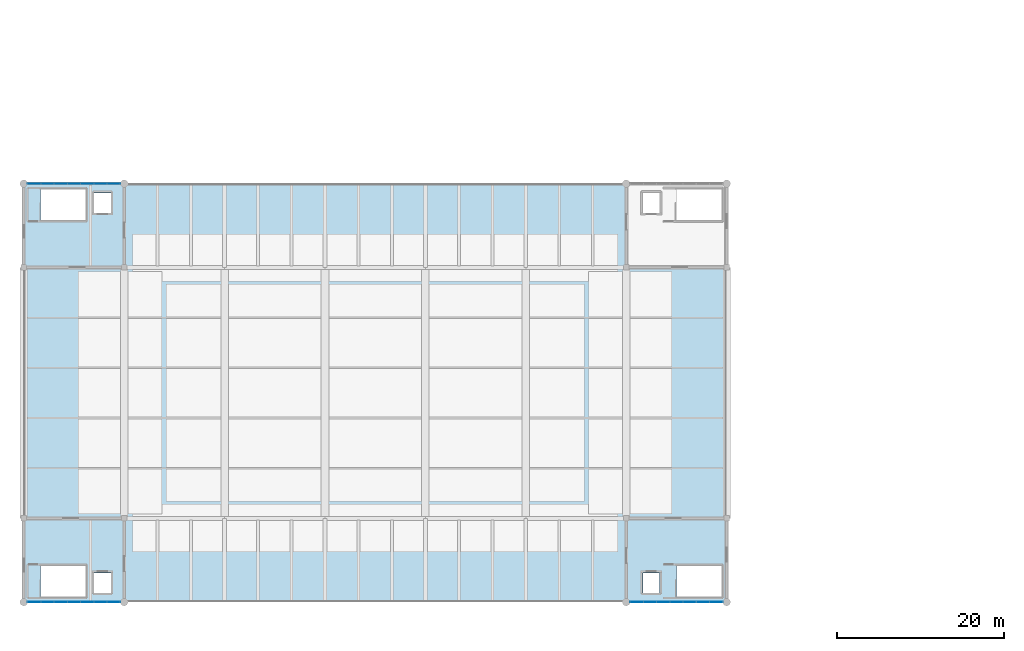
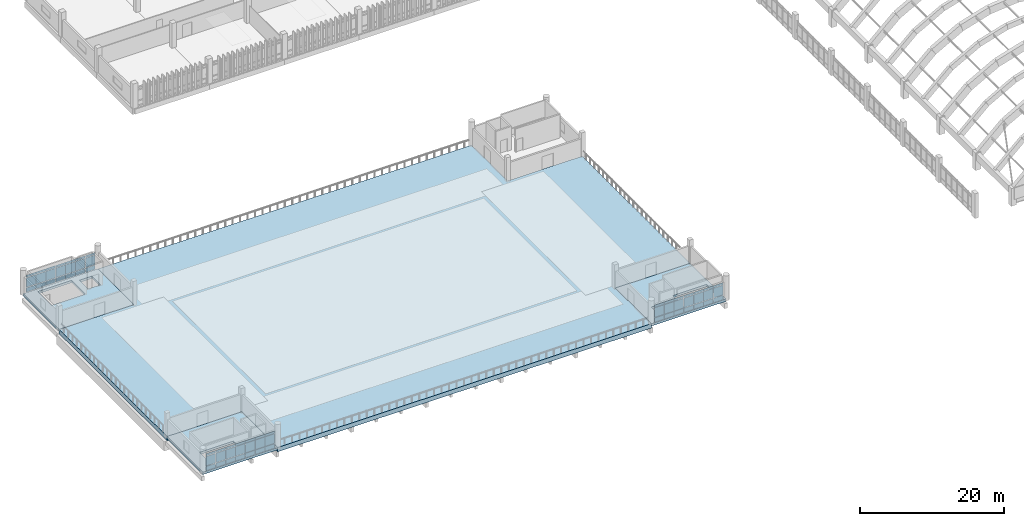
# One storey, part 90 of 111: 63 plates, 4 slabs, 3 elements without a shape of their own.
"""IFC4 building model written with IfcOpenShell, lengths in metres."""

from ifc_helpers import new_model, si_unit, direction, frame, origin, origin_2d, place, context, subcontext, project, spatial, polyline, rectangle, outline, extrude, material, layer, layer_set, type_object, element, aggregate, save


model = new_model("IFC4")

# Units and contexts
model_context = context("Model", 3, precision=1e-05, world=origin(), true_north=direction((0.0, 1.0)))
body_context = subcontext(model_context, "Body", "Model", "MODEL_VIEW")
ifc_project = project(units=[si_unit("LENGTHUNIT", "METRE"), si_unit("AREAUNIT", "SQUARE_METRE"), si_unit("VOLUMEUNIT", "CUBIC_METRE"), si_unit("PLANEANGLEUNIT", "RADIAN"), si_unit("MASSUNIT", "GRAM", prefix="KILO")], contexts=[model_context])

# Site, building, storey
site_placement = place(None, origin())
site = spatial("IfcSite", under=ifc_project, at=site_placement, CompositionType="ELEMENT")
building_placement = place(site_placement, origin())
building = spatial("IfcBuilding", under=site, at=building_placement, Name="Mersad Railyard Sports Hall", CompositionType="ELEMENT")
storey_placement = place(building_placement, frame((0.0, 0.0, 9.0)))
storey = spatial("IfcBuildingStorey", under=building, at=storey_placement, Name="L02", CompositionType="ELEMENT", Elevation=9.0)

# Curtain wall, plates
ifc_material_1 = material(Name="Aluminium 6063-T6", Category="aluminium")
ifc_layer_1 = layer(ifc_material_1, 0.159912109375)
ifc_layer_set_1 = layer_set([ifc_layer_1], Name="Aluminium 6063-T6")
curtain_wall_type = type_object("IfcCurtainWallType", Name="ARC-CW-CW06", PredefinedType="USERDEFINED", material=ifc_layer_set_1)
curtain_wall_1_placement = place(storey_placement, origin())
curtain_wall_1 = element("IfcCurtainWall", 1, at=curtain_wall_1_placement, inside=storey, type_object=curtain_wall_type, Name="Curtain wall CW06-0029", ObjectType="CURTAIN WALL", PredefinedType="USERDEFINED")
ifc_material_2 = material(Name="Solar-control glass", Category="glass")
ifc_layer_2 = layer(ifc_material_2, 0.028076171875)
ifc_layer_set_2 = layer_set([ifc_layer_2], Name="Solar-control glass")
plate_type = type_object("IfcPlateType", Name="ARC-CW-PNL01", PredefinedType="CURTAIN_PANEL", material=ifc_layer_set_2)
plate_1_placement = place(storey_placement, frame((17.739990234375, 3.5, 0.0849609375), z_axis=(0.0, 0.0, 1.0), x_axis=(-1.0, 0.0, 0.0)))
plate_1 = element("IfcPlate", 2, at=plate_1_placement, type_object=plate_type, Name="CW06 Glazed panel 1-1", PredefinedType="CURTAIN_PANEL", context=body_context, shape_type="SweptSolid", body=[
    extrude(rectangle(XDim=1.535888671875, YDim=0.028076171875, at=origin_2d()), origin(), (0.0, 0.0, 1.0), 0.719970703125),
])
plate_2_placement = place(storey_placement, frame((17.739990234375, 3.5, 0.89501953125), z_axis=(0.0, 0.0, 1.0), x_axis=(-1.0, 0.0, 0.0)))
plate_2 = element("IfcPlate", 3, at=plate_2_placement, type_object=plate_type, Name="CW06 Glazed panel 1-2", PredefinedType="CURTAIN_PANEL", context=body_context, shape_type="SweptSolid", body=[
    extrude(rectangle(XDim=1.535888671875, YDim=0.028076171875, at=origin_2d()), origin(), (0.0, 0.0, 1.0), 1.610107421875),
])
plate_3_placement = place(storey_placement, frame((17.739990234375, 3.5, 2.594970703125), z_axis=(0.0, 0.0, 1.0), x_axis=(-1.0, 0.0, 0.0)))
plate_3 = element("IfcPlate", 4, at=plate_3_placement, type_object=plate_type, Name="CW06 Glazed panel 1-3", PredefinedType="CURTAIN_PANEL", context=body_context, shape_type="SweptSolid", body=[
    extrude(rectangle(XDim=1.535888671875, YDim=0.028076171875, at=origin_2d()), origin(), (0.0, 0.0, 1.0), 0.35009765625),
])
plate_4_placement = place(storey_placement, frame((16.159912109375, 3.5, 0.0849609375), z_axis=(0.0, 0.0, 1.0), x_axis=(-1.0, 0.0, 0.0)))
plate_4 = element("IfcPlate", 5, at=plate_4_placement, type_object=plate_type, Name="CW06 Glazed panel 2-1", PredefinedType="CURTAIN_PANEL", context=body_context, shape_type="SweptSolid", body=[
    extrude(rectangle(XDim=1.535888671875, YDim=0.028076171875, at=origin_2d()), origin(), (0.0, 0.0, 1.0), 0.719970703125),
])
plate_5_placement = place(storey_placement, frame((16.159912109375, 3.5, 0.89501953125), z_axis=(0.0, 0.0, 1.0), x_axis=(-1.0, 0.0, 0.0)))
plate_5 = element("IfcPlate", 6, at=plate_5_placement, type_object=plate_type, Name="CW06 Glazed panel 2-2", PredefinedType="CURTAIN_PANEL", context=body_context, shape_type="SweptSolid", body=[
    extrude(rectangle(XDim=1.535888671875, YDim=0.028076171875, at=origin_2d()), origin(), (0.0, 0.0, 1.0), 1.610107421875),
])
plate_6_placement = place(storey_placement, frame((16.159912109375, 3.5, 2.594970703125), z_axis=(0.0, 0.0, 1.0), x_axis=(-1.0, 0.0, 0.0)))
plate_6 = element("IfcPlate", 7, at=plate_6_placement, type_object=plate_type, Name="CW06 Glazed panel 2-3", PredefinedType="CURTAIN_PANEL", context=body_context, shape_type="SweptSolid", body=[
    extrude(rectangle(XDim=1.535888671875, YDim=0.028076171875, at=origin_2d()), origin(), (0.0, 0.0, 1.0), 0.35009765625),
])
plate_7_placement = place(storey_placement, frame((14.580078125, 3.5, 0.0849609375), z_axis=(0.0, 0.0, 1.0), x_axis=(-1.0, 0.0, 0.0)))
plate_7 = element("IfcPlate", 8, at=plate_7_placement, type_object=plate_type, Name="CW06 Glazed panel 3-1", PredefinedType="CURTAIN_PANEL", context=body_context, shape_type="SweptSolid", body=[
    extrude(rectangle(XDim=1.535888671875, YDim=0.028076171875, at=origin_2d()), origin(), (0.0, 0.0, 1.0), 0.719970703125),
])
plate_8_placement = place(storey_placement, frame((14.580078125, 3.5, 0.89501953125), z_axis=(0.0, 0.0, 1.0), x_axis=(-1.0, 0.0, 0.0)))
plate_8 = element("IfcPlate", 9, at=plate_8_placement, type_object=plate_type, Name="CW06 Glazed panel 3-2", PredefinedType="CURTAIN_PANEL", context=body_context, shape_type="SweptSolid", body=[
    extrude(rectangle(XDim=1.535888671875, YDim=0.028076171875, at=origin_2d()), origin(), (0.0, 0.0, 1.0), 1.610107421875),
])
plate_9_placement = place(storey_placement, frame((14.580078125, 3.5, 2.594970703125), z_axis=(0.0, 0.0, 1.0), x_axis=(-1.0, 0.0, 0.0)))
plate_9 = element("IfcPlate", 10, at=plate_9_placement, type_object=plate_type, Name="CW06 Glazed panel 3-3", PredefinedType="CURTAIN_PANEL", context=body_context, shape_type="SweptSolid", body=[
    extrude(rectangle(XDim=1.535888671875, YDim=0.028076171875, at=origin_2d()), origin(), (0.0, 0.0, 1.0), 0.35009765625),
])
plate_10_placement = place(storey_placement, frame((13.0, 3.5, 0.0849609375), z_axis=(0.0, 0.0, 1.0), x_axis=(-1.0, 0.0, 0.0)))
plate_10 = element("IfcPlate", 11, at=plate_10_placement, type_object=plate_type, Name="CW06 Glazed panel 4-1", PredefinedType="CURTAIN_PANEL", context=body_context, shape_type="SweptSolid", body=[
    extrude(rectangle(XDim=1.535888671875, YDim=0.028076171875, at=origin_2d()), origin(), (0.0, 0.0, 1.0), 0.719970703125),
])
plate_11_placement = place(storey_placement, frame((13.0, 3.5, 0.89501953125), z_axis=(0.0, 0.0, 1.0), x_axis=(-1.0, 0.0, 0.0)))
plate_11 = element("IfcPlate", 12, at=plate_11_placement, type_object=plate_type, Name="CW06 Glazed panel 4-2", PredefinedType="CURTAIN_PANEL", context=body_context, shape_type="SweptSolid", body=[
    extrude(rectangle(XDim=1.535888671875, YDim=0.028076171875, at=origin_2d()), origin(), (0.0, 0.0, 1.0), 1.610107421875),
])
plate_12_placement = place(storey_placement, frame((13.0, 3.5, 2.594970703125), z_axis=(0.0, 0.0, 1.0), x_axis=(-1.0, 0.0, 0.0)))
plate_12 = element("IfcPlate", 13, at=plate_12_placement, type_object=plate_type, Name="CW06 Glazed panel 4-3", PredefinedType="CURTAIN_PANEL", context=body_context, shape_type="SweptSolid", body=[
    extrude(rectangle(XDim=1.535888671875, YDim=0.028076171875, at=origin_2d()), origin(), (0.0, 0.0, 1.0), 0.35009765625),
])
plate_13_placement = place(storey_placement, frame((11.419921875, 3.5, 0.0849609375), z_axis=(0.0, 0.0, 1.0), x_axis=(-1.0, 0.0, 0.0)))
plate_13 = element("IfcPlate", 14, at=plate_13_placement, type_object=plate_type, Name="CW06 Glazed panel 5-1", PredefinedType="CURTAIN_PANEL", context=body_context, shape_type="SweptSolid", body=[
    extrude(rectangle(XDim=1.535888671875, YDim=0.028076171875, at=origin_2d()), origin(), (0.0, 0.0, 1.0), 0.719970703125),
])
plate_14_placement = place(storey_placement, frame((11.419921875, 3.5, 0.89501953125), z_axis=(0.0, 0.0, 1.0), x_axis=(-1.0, 0.0, 0.0)))
plate_14 = element("IfcPlate", 15, at=plate_14_placement, type_object=plate_type, Name="CW06 Glazed panel 5-2", PredefinedType="CURTAIN_PANEL", context=body_context, shape_type="SweptSolid", body=[
    extrude(rectangle(XDim=1.535888671875, YDim=0.028076171875, at=origin_2d()), origin(), (0.0, 0.0, 1.0), 1.610107421875),
])
plate_15_placement = place(storey_placement, frame((11.419921875, 3.5, 2.594970703125), z_axis=(0.0, 0.0, 1.0), x_axis=(-1.0, 0.0, 0.0)))
plate_15 = element("IfcPlate", 16, at=plate_15_placement, type_object=plate_type, Name="CW06 Glazed panel 5-3", PredefinedType="CURTAIN_PANEL", context=body_context, shape_type="SweptSolid", body=[
    extrude(rectangle(XDim=1.535888671875, YDim=0.028076171875, at=origin_2d()), origin(), (0.0, 0.0, 1.0), 0.35009765625),
])
plate_16_placement = place(storey_placement, frame((9.840087890625, 3.5, 0.0849609375), z_axis=(0.0, 0.0, 1.0), x_axis=(-1.0, 0.0, 0.0)))
plate_16 = element("IfcPlate", 17, at=plate_16_placement, type_object=plate_type, Name="CW06 Glazed panel 6-1", PredefinedType="CURTAIN_PANEL", context=body_context, shape_type="SweptSolid", body=[
    extrude(rectangle(XDim=1.535888671875, YDim=0.028076171875, at=origin_2d()), origin(), (0.0, 0.0, 1.0), 0.719970703125),
])
plate_17_placement = place(storey_placement, frame((9.840087890625, 3.5, 0.89501953125), z_axis=(0.0, 0.0, 1.0), x_axis=(-1.0, 0.0, 0.0)))
plate_17 = element("IfcPlate", 18, at=plate_17_placement, type_object=plate_type, Name="CW06 Glazed panel 6-2", PredefinedType="CURTAIN_PANEL", context=body_context, shape_type="SweptSolid", body=[
    extrude(rectangle(XDim=1.535888671875, YDim=0.028076171875, at=origin_2d()), origin(), (0.0, 0.0, 1.0), 1.610107421875),
])
plate_18_placement = place(storey_placement, frame((9.840087890625, 3.5, 2.594970703125), z_axis=(0.0, 0.0, 1.0), x_axis=(-1.0, 0.0, 0.0)))
plate_18 = element("IfcPlate", 19, at=plate_18_placement, type_object=plate_type, Name="CW06 Glazed panel 6-3", PredefinedType="CURTAIN_PANEL", context=body_context, shape_type="SweptSolid", body=[
    extrude(rectangle(XDim=1.535888671875, YDim=0.028076171875, at=origin_2d()), origin(), (0.0, 0.0, 1.0), 0.35009765625),
])
plate_19_placement = place(storey_placement, frame((8.260009765625, 3.5, 0.0849609375), z_axis=(0.0, 0.0, 1.0), x_axis=(-1.0, 0.0, 0.0)))
plate_19 = element("IfcPlate", 20, at=plate_19_placement, type_object=plate_type, Name="CW06 Glazed panel 7-1", PredefinedType="CURTAIN_PANEL", context=body_context, shape_type="SweptSolid", body=[
    extrude(rectangle(XDim=1.535888671875, YDim=0.028076171875, at=origin_2d()), origin(), (0.0, 0.0, 1.0), 0.719970703125),
])
plate_20_placement = place(storey_placement, frame((8.260009765625, 3.5, 0.89501953125), z_axis=(0.0, 0.0, 1.0), x_axis=(-1.0, 0.0, 0.0)))
plate_20 = element("IfcPlate", 21, at=plate_20_placement, type_object=plate_type, Name="CW06 Glazed panel 7-2", PredefinedType="CURTAIN_PANEL", context=body_context, shape_type="SweptSolid", body=[
    extrude(rectangle(XDim=1.535888671875, YDim=0.028076171875, at=origin_2d()), origin(), (0.0, 0.0, 1.0), 1.610107421875),
])
plate_21_placement = place(storey_placement, frame((8.260009765625, 3.5, 2.594970703125), z_axis=(0.0, 0.0, 1.0), x_axis=(-1.0, 0.0, 0.0)))
plate_21 = element("IfcPlate", 22, at=plate_21_placement, type_object=plate_type, Name="CW06 Glazed panel 7-3", PredefinedType="CURTAIN_PANEL", context=body_context, shape_type="SweptSolid", body=[
    extrude(rectangle(XDim=1.535888671875, YDim=0.028076171875, at=origin_2d()), origin(), (0.0, 0.0, 1.0), 0.35009765625),
])
aggregate(curtain_wall_1, [plate_1, plate_2, plate_3, plate_4, plate_5, plate_6, plate_7, plate_8, plate_9, plate_10, plate_11, plate_12, plate_13, plate_14, plate_15, plate_16, plate_17, plate_18, plate_19, plate_20, plate_21])

curtain_wall_2_placement = place(storey_placement, origin())
curtain_wall_2 = element("IfcCurtainWall", 23, at=curtain_wall_2_placement, inside=storey, type_object=curtain_wall_type, Name="Curtain wall CW06-0030", ObjectType="CURTAIN WALL", PredefinedType="USERDEFINED")
plate_22_placement = place(storey_placement, frame((89.739990234375, 3.5, 0.0849609375), z_axis=(0.0, 0.0, 1.0), x_axis=(-1.0, 0.0, 0.0)))
plate_22 = element("IfcPlate", 24, at=plate_22_placement, type_object=plate_type, Name="CW06 Glazed panel 1-1", PredefinedType="CURTAIN_PANEL", context=body_context, shape_type="SweptSolid", body=[
    extrude(rectangle(XDim=1.535888671875, YDim=0.028076171875, at=origin_2d()), origin(), (0.0, 0.0, 1.0), 0.719970703125),
])
plate_23_placement = place(storey_placement, frame((89.739990234375, 3.5, 0.89501953125), z_axis=(0.0, 0.0, 1.0), x_axis=(-1.0, 0.0, 0.0)))
plate_23 = element("IfcPlate", 25, at=plate_23_placement, type_object=plate_type, Name="CW06 Glazed panel 1-2", PredefinedType="CURTAIN_PANEL", context=body_context, shape_type="SweptSolid", body=[
    extrude(rectangle(XDim=1.535888671875, YDim=0.028076171875, at=origin_2d()), origin(), (0.0, 0.0, 1.0), 1.610107421875),
])
plate_24_placement = place(storey_placement, frame((89.739990234375, 3.5, 2.594970703125), z_axis=(0.0, 0.0, 1.0), x_axis=(-1.0, 0.0, 0.0)))
plate_24 = element("IfcPlate", 26, at=plate_24_placement, type_object=plate_type, Name="CW06 Glazed panel 1-3", PredefinedType="CURTAIN_PANEL", context=body_context, shape_type="SweptSolid", body=[
    extrude(rectangle(XDim=1.535888671875, YDim=0.028076171875, at=origin_2d()), origin(), (0.0, 0.0, 1.0), 0.35009765625),
])
plate_25_placement = place(storey_placement, frame((88.159912109375, 3.5, 0.0849609375), z_axis=(0.0, 0.0, 1.0), x_axis=(-1.0, 0.0, 0.0)))
plate_25 = element("IfcPlate", 27, at=plate_25_placement, type_object=plate_type, Name="CW06 Glazed panel 2-1", PredefinedType="CURTAIN_PANEL", context=body_context, shape_type="SweptSolid", body=[
    extrude(rectangle(XDim=1.535888671875, YDim=0.028076171875, at=origin_2d()), origin(), (0.0, 0.0, 1.0), 0.719970703125),
])
plate_26_placement = place(storey_placement, frame((88.159912109375, 3.5, 0.89501953125), z_axis=(0.0, 0.0, 1.0), x_axis=(-1.0, 0.0, 0.0)))
plate_26 = element("IfcPlate", 28, at=plate_26_placement, type_object=plate_type, Name="CW06 Glazed panel 2-2", PredefinedType="CURTAIN_PANEL", context=body_context, shape_type="SweptSolid", body=[
    extrude(rectangle(XDim=1.535888671875, YDim=0.028076171875, at=origin_2d()), origin(), (0.0, 0.0, 1.0), 1.610107421875),
])
plate_27_placement = place(storey_placement, frame((88.159912109375, 3.5, 2.594970703125), z_axis=(0.0, 0.0, 1.0), x_axis=(-1.0, 0.0, 0.0)))
plate_27 = element("IfcPlate", 29, at=plate_27_placement, type_object=plate_type, Name="CW06 Glazed panel 2-3", PredefinedType="CURTAIN_PANEL", context=body_context, shape_type="SweptSolid", body=[
    extrude(rectangle(XDim=1.535888671875, YDim=0.028076171875, at=origin_2d()), origin(), (0.0, 0.0, 1.0), 0.35009765625),
])
plate_28_placement = place(storey_placement, frame((86.580078125, 3.5, 0.0849609375), z_axis=(0.0, 0.0, 1.0), x_axis=(-1.0, 0.0, 0.0)))
plate_28 = element("IfcPlate", 30, at=plate_28_placement, type_object=plate_type, Name="CW06 Glazed panel 3-1", PredefinedType="CURTAIN_PANEL", context=body_context, shape_type="SweptSolid", body=[
    extrude(rectangle(XDim=1.535888671875, YDim=0.028076171875, at=origin_2d()), origin(), (0.0, 0.0, 1.0), 0.719970703125),
])
plate_29_placement = place(storey_placement, frame((86.580078125, 3.5, 0.89501953125), z_axis=(0.0, 0.0, 1.0), x_axis=(-1.0, 0.0, 0.0)))
plate_29 = element("IfcPlate", 31, at=plate_29_placement, type_object=plate_type, Name="CW06 Glazed panel 3-2", PredefinedType="CURTAIN_PANEL", context=body_context, shape_type="SweptSolid", body=[
    extrude(rectangle(XDim=1.535888671875, YDim=0.028076171875, at=origin_2d()), origin(), (0.0, 0.0, 1.0), 1.610107421875),
])
plate_30_placement = place(storey_placement, frame((86.580078125, 3.5, 2.594970703125), z_axis=(0.0, 0.0, 1.0), x_axis=(-1.0, 0.0, 0.0)))
plate_30 = element("IfcPlate", 32, at=plate_30_placement, type_object=plate_type, Name="CW06 Glazed panel 3-3", PredefinedType="CURTAIN_PANEL", context=body_context, shape_type="SweptSolid", body=[
    extrude(rectangle(XDim=1.535888671875, YDim=0.028076171875, at=origin_2d()), origin(), (0.0, 0.0, 1.0), 0.35009765625),
])
plate_31_placement = place(storey_placement, frame((85.0, 3.5, 0.0849609375), z_axis=(0.0, 0.0, 1.0), x_axis=(-1.0, 0.0, 0.0)))
plate_31 = element("IfcPlate", 33, at=plate_31_placement, type_object=plate_type, Name="CW06 Glazed panel 4-1", PredefinedType="CURTAIN_PANEL", context=body_context, shape_type="SweptSolid", body=[
    extrude(rectangle(XDim=1.535888671875, YDim=0.028076171875, at=origin_2d()), origin(), (0.0, 0.0, 1.0), 0.719970703125),
])
plate_32_placement = place(storey_placement, frame((85.0, 3.5, 0.89501953125), z_axis=(0.0, 0.0, 1.0), x_axis=(-1.0, 0.0, 0.0)))
plate_32 = element("IfcPlate", 34, at=plate_32_placement, type_object=plate_type, Name="CW06 Glazed panel 4-2", PredefinedType="CURTAIN_PANEL", context=body_context, shape_type="SweptSolid", body=[
    extrude(rectangle(XDim=1.535888671875, YDim=0.028076171875, at=origin_2d()), origin(), (0.0, 0.0, 1.0), 1.610107421875),
])
plate_33_placement = place(storey_placement, frame((85.0, 3.5, 2.594970703125), z_axis=(0.0, 0.0, 1.0), x_axis=(-1.0, 0.0, 0.0)))
plate_33 = element("IfcPlate", 35, at=plate_33_placement, type_object=plate_type, Name="CW06 Glazed panel 4-3", PredefinedType="CURTAIN_PANEL", context=body_context, shape_type="SweptSolid", body=[
    extrude(rectangle(XDim=1.535888671875, YDim=0.028076171875, at=origin_2d()), origin(), (0.0, 0.0, 1.0), 0.35009765625),
])
plate_34_placement = place(storey_placement, frame((83.419921875, 3.5, 0.0849609375), z_axis=(0.0, 0.0, 1.0), x_axis=(-1.0, 0.0, 0.0)))
plate_34 = element("IfcPlate", 36, at=plate_34_placement, type_object=plate_type, Name="CW06 Glazed panel 5-1", PredefinedType="CURTAIN_PANEL", context=body_context, shape_type="SweptSolid", body=[
    extrude(rectangle(XDim=1.535888671875, YDim=0.028076171875, at=origin_2d()), origin(), (0.0, 0.0, 1.0), 0.719970703125),
])
plate_35_placement = place(storey_placement, frame((83.419921875, 3.5, 0.89501953125), z_axis=(0.0, 0.0, 1.0), x_axis=(-1.0, 0.0, 0.0)))
plate_35 = element("IfcPlate", 37, at=plate_35_placement, type_object=plate_type, Name="CW06 Glazed panel 5-2", PredefinedType="CURTAIN_PANEL", context=body_context, shape_type="SweptSolid", body=[
    extrude(rectangle(XDim=1.535888671875, YDim=0.028076171875, at=origin_2d()), origin(), (0.0, 0.0, 1.0), 1.610107421875),
])
plate_36_placement = place(storey_placement, frame((83.419921875, 3.5, 2.594970703125), z_axis=(0.0, 0.0, 1.0), x_axis=(-1.0, 0.0, 0.0)))
plate_36 = element("IfcPlate", 38, at=plate_36_placement, type_object=plate_type, Name="CW06 Glazed panel 5-3", PredefinedType="CURTAIN_PANEL", context=body_context, shape_type="SweptSolid", body=[
    extrude(rectangle(XDim=1.535888671875, YDim=0.028076171875, at=origin_2d()), origin(), (0.0, 0.0, 1.0), 0.35009765625),
])
plate_37_placement = place(storey_placement, frame((81.840087890625, 3.5, 0.0849609375), z_axis=(0.0, 0.0, 1.0), x_axis=(-1.0, 0.0, 0.0)))
plate_37 = element("IfcPlate", 39, at=plate_37_placement, type_object=plate_type, Name="CW06 Glazed panel 6-1", PredefinedType="CURTAIN_PANEL", context=body_context, shape_type="SweptSolid", body=[
    extrude(rectangle(XDim=1.535888671875, YDim=0.028076171875, at=origin_2d()), origin(), (0.0, 0.0, 1.0), 0.719970703125),
])
plate_38_placement = place(storey_placement, frame((81.840087890625, 3.5, 0.89501953125), z_axis=(0.0, 0.0, 1.0), x_axis=(-1.0, 0.0, 0.0)))
plate_38 = element("IfcPlate", 40, at=plate_38_placement, type_object=plate_type, Name="CW06 Glazed panel 6-2", PredefinedType="CURTAIN_PANEL", context=body_context, shape_type="SweptSolid", body=[
    extrude(rectangle(XDim=1.535888671875, YDim=0.028076171875, at=origin_2d()), origin(), (0.0, 0.0, 1.0), 1.610107421875),
])
plate_39_placement = place(storey_placement, frame((81.840087890625, 3.5, 2.594970703125), z_axis=(0.0, 0.0, 1.0), x_axis=(-1.0, 0.0, 0.0)))
plate_39 = element("IfcPlate", 41, at=plate_39_placement, type_object=plate_type, Name="CW06 Glazed panel 6-3", PredefinedType="CURTAIN_PANEL", context=body_context, shape_type="SweptSolid", body=[
    extrude(rectangle(XDim=1.535888671875, YDim=0.028076171875, at=origin_2d()), origin(), (0.0, 0.0, 1.0), 0.35009765625),
])
plate_40_placement = place(storey_placement, frame((80.260009765625, 3.5, 0.0849609375), z_axis=(0.0, 0.0, 1.0), x_axis=(-1.0, 0.0, 0.0)))
plate_40 = element("IfcPlate", 42, at=plate_40_placement, type_object=plate_type, Name="CW06 Glazed panel 7-1", PredefinedType="CURTAIN_PANEL", context=body_context, shape_type="SweptSolid", body=[
    extrude(rectangle(XDim=1.535888671875, YDim=0.028076171875, at=origin_2d()), origin(), (0.0, 0.0, 1.0), 0.719970703125),
])
plate_41_placement = place(storey_placement, frame((80.260009765625, 3.5, 0.89501953125), z_axis=(0.0, 0.0, 1.0), x_axis=(-1.0, 0.0, 0.0)))
plate_41 = element("IfcPlate", 43, at=plate_41_placement, type_object=plate_type, Name="CW06 Glazed panel 7-2", PredefinedType="CURTAIN_PANEL", context=body_context, shape_type="SweptSolid", body=[
    extrude(rectangle(XDim=1.535888671875, YDim=0.028076171875, at=origin_2d()), origin(), (0.0, 0.0, 1.0), 1.610107421875),
])
plate_42_placement = place(storey_placement, frame((80.260009765625, 3.5, 2.594970703125), z_axis=(0.0, 0.0, 1.0), x_axis=(-1.0, 0.0, 0.0)))
plate_42 = element("IfcPlate", 44, at=plate_42_placement, type_object=plate_type, Name="CW06 Glazed panel 7-3", PredefinedType="CURTAIN_PANEL", context=body_context, shape_type="SweptSolid", body=[
    extrude(rectangle(XDim=1.535888671875, YDim=0.028076171875, at=origin_2d()), origin(), (0.0, 0.0, 1.0), 0.35009765625),
])
aggregate(curtain_wall_2, [plate_22, plate_23, plate_24, plate_25, plate_26, plate_27, plate_28, plate_29, plate_30, plate_31, plate_32, plate_33, plate_34, plate_35, plate_36, plate_37, plate_38, plate_39, plate_40, plate_41, plate_42])

curtain_wall_3_placement = place(storey_placement, origin())
curtain_wall_3 = element("IfcCurtainWall", 45, at=curtain_wall_3_placement, inside=storey, type_object=curtain_wall_type, Name="Curtain wall CW06-0031", ObjectType="CURTAIN WALL", PredefinedType="USERDEFINED")
plate_43_placement = place(storey_placement, frame((8.260009765625, 53.5, 0.0849609375), z_axis=(0.0, 0.0, 1.0), x_axis=(1.0, 0.0, 0.0)))
plate_43 = element("IfcPlate", 46, at=plate_43_placement, type_object=plate_type, Name="CW06 Glazed panel 1-1", PredefinedType="CURTAIN_PANEL", context=body_context, shape_type="SweptSolid", body=[
    extrude(rectangle(XDim=1.535888671875, YDim=0.028076171875, at=origin_2d()), origin(), (0.0, 0.0, 1.0), 0.719970703125),
])
plate_44_placement = place(storey_placement, frame((8.260009765625, 53.5, 0.89501953125), z_axis=(0.0, 0.0, 1.0), x_axis=(1.0, 0.0, 0.0)))
plate_44 = element("IfcPlate", 47, at=plate_44_placement, type_object=plate_type, Name="CW06 Glazed panel 1-2", PredefinedType="CURTAIN_PANEL", context=body_context, shape_type="SweptSolid", body=[
    extrude(rectangle(XDim=1.535888671875, YDim=0.028076171875, at=origin_2d()), origin(), (0.0, 0.0, 1.0), 1.610107421875),
])
plate_45_placement = place(storey_placement, frame((8.260009765625, 53.5, 2.594970703125), z_axis=(0.0, 0.0, 1.0), x_axis=(1.0, 0.0, 0.0)))
plate_45 = element("IfcPlate", 48, at=plate_45_placement, type_object=plate_type, Name="CW06 Glazed panel 1-3", PredefinedType="CURTAIN_PANEL", context=body_context, shape_type="SweptSolid", body=[
    extrude(rectangle(XDim=1.535888671875, YDim=0.028076171875, at=origin_2d()), origin(), (0.0, 0.0, 1.0), 0.35009765625),
])
plate_46_placement = place(storey_placement, frame((9.840087890625, 53.5, 0.0849609375), z_axis=(0.0, 0.0, 1.0), x_axis=(1.0, 0.0, 0.0)))
plate_46 = element("IfcPlate", 49, at=plate_46_placement, type_object=plate_type, Name="CW06 Glazed panel 2-1", PredefinedType="CURTAIN_PANEL", context=body_context, shape_type="SweptSolid", body=[
    extrude(rectangle(XDim=1.535888671875, YDim=0.028076171875, at=origin_2d()), origin(), (0.0, 0.0, 1.0), 0.719970703125),
])
plate_47_placement = place(storey_placement, frame((9.840087890625, 53.5, 0.89501953125), z_axis=(0.0, 0.0, 1.0), x_axis=(1.0, 0.0, 0.0)))
plate_47 = element("IfcPlate", 50, at=plate_47_placement, type_object=plate_type, Name="CW06 Glazed panel 2-2", PredefinedType="CURTAIN_PANEL", context=body_context, shape_type="SweptSolid", body=[
    extrude(rectangle(XDim=1.535888671875, YDim=0.028076171875, at=origin_2d()), origin(), (0.0, 0.0, 1.0), 1.610107421875),
])
plate_48_placement = place(storey_placement, frame((9.840087890625, 53.5, 2.594970703125), z_axis=(0.0, 0.0, 1.0), x_axis=(1.0, 0.0, 0.0)))
plate_48 = element("IfcPlate", 51, at=plate_48_placement, type_object=plate_type, Name="CW06 Glazed panel 2-3", PredefinedType="CURTAIN_PANEL", context=body_context, shape_type="SweptSolid", body=[
    extrude(rectangle(XDim=1.535888671875, YDim=0.028076171875, at=origin_2d()), origin(), (0.0, 0.0, 1.0), 0.35009765625),
])
plate_49_placement = place(storey_placement, frame((11.419921875, 53.5, 0.0849609375), z_axis=(0.0, 0.0, 1.0), x_axis=(1.0, 0.0, 0.0)))
plate_49 = element("IfcPlate", 52, at=plate_49_placement, type_object=plate_type, Name="CW06 Glazed panel 3-1", PredefinedType="CURTAIN_PANEL", context=body_context, shape_type="SweptSolid", body=[
    extrude(rectangle(XDim=1.535888671875, YDim=0.028076171875, at=origin_2d()), origin(), (0.0, 0.0, 1.0), 0.719970703125),
])
plate_50_placement = place(storey_placement, frame((11.419921875, 53.5, 0.89501953125), z_axis=(0.0, 0.0, 1.0), x_axis=(1.0, 0.0, 0.0)))
plate_50 = element("IfcPlate", 53, at=plate_50_placement, type_object=plate_type, Name="CW06 Glazed panel 3-2", PredefinedType="CURTAIN_PANEL", context=body_context, shape_type="SweptSolid", body=[
    extrude(rectangle(XDim=1.535888671875, YDim=0.028076171875, at=origin_2d()), origin(), (0.0, 0.0, 1.0), 1.610107421875),
])
plate_51_placement = place(storey_placement, frame((11.419921875, 53.5, 2.594970703125), z_axis=(0.0, 0.0, 1.0), x_axis=(1.0, 0.0, 0.0)))
plate_51 = element("IfcPlate", 54, at=plate_51_placement, type_object=plate_type, Name="CW06 Glazed panel 3-3", PredefinedType="CURTAIN_PANEL", context=body_context, shape_type="SweptSolid", body=[
    extrude(rectangle(XDim=1.535888671875, YDim=0.028076171875, at=origin_2d()), origin(), (0.0, 0.0, 1.0), 0.35009765625),
])
plate_52_placement = place(storey_placement, frame((13.0, 53.5, 0.0849609375), z_axis=(0.0, 0.0, 1.0), x_axis=(1.0, 0.0, 0.0)))
plate_52 = element("IfcPlate", 55, at=plate_52_placement, type_object=plate_type, Name="CW06 Glazed panel 4-1", PredefinedType="CURTAIN_PANEL", context=body_context, shape_type="SweptSolid", body=[
    extrude(rectangle(XDim=1.535888671875, YDim=0.028076171875, at=origin_2d()), origin(), (0.0, 0.0, 1.0), 0.719970703125),
])
plate_53_placement = place(storey_placement, frame((13.0, 53.5, 0.89501953125), z_axis=(0.0, 0.0, 1.0), x_axis=(1.0, 0.0, 0.0)))
plate_53 = element("IfcPlate", 56, at=plate_53_placement, type_object=plate_type, Name="CW06 Glazed panel 4-2", PredefinedType="CURTAIN_PANEL", context=body_context, shape_type="SweptSolid", body=[
    extrude(rectangle(XDim=1.535888671875, YDim=0.028076171875, at=origin_2d()), origin(), (0.0, 0.0, 1.0), 1.610107421875),
])
plate_54_placement = place(storey_placement, frame((13.0, 53.5, 2.594970703125), z_axis=(0.0, 0.0, 1.0), x_axis=(1.0, 0.0, 0.0)))
plate_54 = element("IfcPlate", 57, at=plate_54_placement, type_object=plate_type, Name="CW06 Glazed panel 4-3", PredefinedType="CURTAIN_PANEL", context=body_context, shape_type="SweptSolid", body=[
    extrude(rectangle(XDim=1.535888671875, YDim=0.028076171875, at=origin_2d()), origin(), (0.0, 0.0, 1.0), 0.35009765625),
])
plate_55_placement = place(storey_placement, frame((14.580078125, 53.5, 0.0849609375), z_axis=(0.0, 0.0, 1.0), x_axis=(1.0, 0.0, 0.0)))
plate_55 = element("IfcPlate", 58, at=plate_55_placement, type_object=plate_type, Name="CW06 Glazed panel 5-1", PredefinedType="CURTAIN_PANEL", context=body_context, shape_type="SweptSolid", body=[
    extrude(rectangle(XDim=1.535888671875, YDim=0.028076171875, at=origin_2d()), origin(), (0.0, 0.0, 1.0), 0.719970703125),
])
plate_56_placement = place(storey_placement, frame((14.580078125, 53.5, 0.89501953125), z_axis=(0.0, 0.0, 1.0), x_axis=(1.0, 0.0, 0.0)))
plate_56 = element("IfcPlate", 59, at=plate_56_placement, type_object=plate_type, Name="CW06 Glazed panel 5-2", PredefinedType="CURTAIN_PANEL", context=body_context, shape_type="SweptSolid", body=[
    extrude(rectangle(XDim=1.535888671875, YDim=0.028076171875, at=origin_2d()), origin(), (0.0, 0.0, 1.0), 1.610107421875),
])
plate_57_placement = place(storey_placement, frame((14.580078125, 53.5, 2.594970703125), z_axis=(0.0, 0.0, 1.0), x_axis=(1.0, 0.0, 0.0)))
plate_57 = element("IfcPlate", 60, at=plate_57_placement, type_object=plate_type, Name="CW06 Glazed panel 5-3", PredefinedType="CURTAIN_PANEL", context=body_context, shape_type="SweptSolid", body=[
    extrude(rectangle(XDim=1.535888671875, YDim=0.028076171875, at=origin_2d()), origin(), (0.0, 0.0, 1.0), 0.35009765625),
])
plate_58_placement = place(storey_placement, frame((16.159912109375, 53.5, 0.0849609375), z_axis=(0.0, 0.0, 1.0), x_axis=(1.0, 0.0, 0.0)))
plate_58 = element("IfcPlate", 61, at=plate_58_placement, type_object=plate_type, Name="CW06 Glazed panel 6-1", PredefinedType="CURTAIN_PANEL", context=body_context, shape_type="SweptSolid", body=[
    extrude(rectangle(XDim=1.535888671875, YDim=0.028076171875, at=origin_2d()), origin(), (0.0, 0.0, 1.0), 0.719970703125),
])
plate_59_placement = place(storey_placement, frame((16.159912109375, 53.5, 0.89501953125), z_axis=(0.0, 0.0, 1.0), x_axis=(1.0, 0.0, 0.0)))
plate_59 = element("IfcPlate", 62, at=plate_59_placement, type_object=plate_type, Name="CW06 Glazed panel 6-2", PredefinedType="CURTAIN_PANEL", context=body_context, shape_type="SweptSolid", body=[
    extrude(rectangle(XDim=1.535888671875, YDim=0.028076171875, at=origin_2d()), origin(), (0.0, 0.0, 1.0), 1.610107421875),
])
plate_60_placement = place(storey_placement, frame((16.159912109375, 53.5, 2.594970703125), z_axis=(0.0, 0.0, 1.0), x_axis=(1.0, 0.0, 0.0)))
plate_60 = element("IfcPlate", 63, at=plate_60_placement, type_object=plate_type, Name="CW06 Glazed panel 6-3", PredefinedType="CURTAIN_PANEL", context=body_context, shape_type="SweptSolid", body=[
    extrude(rectangle(XDim=1.535888671875, YDim=0.028076171875, at=origin_2d()), origin(), (0.0, 0.0, 1.0), 0.35009765625),
])
plate_61_placement = place(storey_placement, frame((17.739990234375, 53.5, 0.0849609375), z_axis=(0.0, 0.0, 1.0), x_axis=(1.0, 0.0, 0.0)))
plate_61 = element("IfcPlate", 64, at=plate_61_placement, type_object=plate_type, Name="CW06 Glazed panel 7-1", PredefinedType="CURTAIN_PANEL", context=body_context, shape_type="SweptSolid", body=[
    extrude(rectangle(XDim=1.535888671875, YDim=0.028076171875, at=origin_2d()), origin(), (0.0, 0.0, 1.0), 0.719970703125),
])
plate_62_placement = place(storey_placement, frame((17.739990234375, 53.5, 0.89501953125), z_axis=(0.0, 0.0, 1.0), x_axis=(1.0, 0.0, 0.0)))
plate_62 = element("IfcPlate", 65, at=plate_62_placement, type_object=plate_type, Name="CW06 Glazed panel 7-2", PredefinedType="CURTAIN_PANEL", context=body_context, shape_type="SweptSolid", body=[
    extrude(rectangle(XDim=1.535888671875, YDim=0.028076171875, at=origin_2d()), origin(), (0.0, 0.0, 1.0), 1.610107421875),
])
plate_63_placement = place(storey_placement, frame((17.739990234375, 53.5, 2.594970703125), z_axis=(0.0, 0.0, 1.0), x_axis=(1.0, 0.0, 0.0)))
plate_63 = element("IfcPlate", 66, at=plate_63_placement, type_object=plate_type, Name="CW06 Glazed panel 7-3", PredefinedType="CURTAIN_PANEL", context=body_context, shape_type="SweptSolid", body=[
    extrude(rectangle(XDim=1.535888671875, YDim=0.028076171875, at=origin_2d()), origin(), (0.0, 0.0, 1.0), 0.35009765625),
])
aggregate(curtain_wall_3, [plate_43, plate_44, plate_45, plate_46, plate_47, plate_48, plate_49, plate_50, plate_51, plate_52, plate_53, plate_54, plate_55, plate_56, plate_57, plate_58, plate_59, plate_60, plate_61, plate_62, plate_63])

# Slabs
ifc_material_3 = material(Name="Concrete C50/60", Category="concrete")
ifc_layer_3 = layer(ifc_material_3, 0.39990234375)
ifc_layer_set_3 = layer_set([ifc_layer_3], Name="Concrete C50/60")
slab_type_1 = type_object("IfcSlabType", Name="STR-SL-FL06", PredefinedType="FLOOR", material=ifc_layer_set_3)
slab_1_placement = place(storey_placement, frame((0.0, 0.0, -0.39990234375)))
element("IfcSlab", 67, at=slab_1_placement, inside=storey, type_object=slab_type_1, Name="Slab SL06-0080", PredefinedType="FLOOR", context=body_context, shape_type="SweptSolid", body=[
    extrude(outline(polyline([(7.0, 3.5), (19.0, 3.5), (19.0, 13.5), (7.0, 13.5), (7.0, 3.5)]), holes=[polyline([(8.989990234375, 4.10009765625), (14.449951171875, 4.10009765625), (14.449951171875, 7.89990234375), (8.989990234375, 7.89990234375), (8.989990234375, 4.10009765625)]), polyline([(15.39990234375, 4.60009765625), (17.39990234375, 4.60009765625), (17.39990234375, 7.0), (15.39990234375, 7.0), (15.39990234375, 4.60009765625)])]), origin(), (0.0, 0.0, 1.0), 0.39990234375),
])
slab_2_placement = place(storey_placement, frame((0.0, 0.0, -0.39990234375)))
element("IfcSlab", 68, at=slab_2_placement, inside=storey, type_object=slab_type_1, Name="Slab SL06-0081", PredefinedType="FLOOR", context=body_context, shape_type="SweptSolid", body=[
    extrude(outline(polyline([(79.0, 3.5), (91.0, 3.5), (91.0, 13.5), (79.0, 13.5), (79.0, 3.5)]), holes=[polyline([(84.989990234375, 4.10009765625), (90.449951171875, 4.10009765625), (90.449951171875, 7.89990234375), (84.989990234375, 7.89990234375), (84.989990234375, 4.10009765625)]), polyline([(81.0, 4.60009765625), (83.0, 4.60009765625), (83.0, 7.0), (81.0, 7.0), (81.0, 4.60009765625)])]), origin(), (0.0, 0.0, 1.0), 0.39990234375),
])
slab_3_placement = place(storey_placement, frame((0.0, 0.0, -0.39990234375)))
element("IfcSlab", 69, at=slab_3_placement, inside=storey, type_object=slab_type_1, Name="Slab SL06-0082", PredefinedType="FLOOR", context=body_context, shape_type="SweptSolid", body=[
    extrude(outline(polyline([(7.0, 43.5), (19.0, 43.5), (19.0, 53.5), (7.0, 53.5), (7.0, 43.5)]), holes=[polyline([(8.989990234375, 49.10009765625), (14.449951171875, 49.10009765625), (14.449951171875, 52.89990234375), (8.989990234375, 52.89990234375), (8.989990234375, 49.10009765625)]), polyline([(15.39990234375, 50.0), (17.39990234375, 50.0), (17.39990234375, 52.39990234375), (15.39990234375, 52.39990234375), (15.39990234375, 50.0)])]), origin(), (0.0, 0.0, 1.0), 0.39990234375),
])
ifc_material_4 = material(Name="Post-tensioned concrete C50/60", Category="concrete")
ifc_layer_4 = layer(ifc_material_4, 0.75)
ifc_layer_set_4 = layer_set([ifc_layer_4], Name="Post-tensioned concrete C50/60")
slab_type_2 = type_object("IfcSlabType", Name="STR-SL-PT01", PredefinedType="FLOOR", material=ifc_layer_set_4)
slab_4_placement = place(storey_placement, frame((0.0, 0.0, -0.75)))
element("IfcSlab", 70, at=slab_4_placement, inside=storey, type_object=slab_type_2, Name="Slab PTS01-0084", PredefinedType="FLOOR", context=body_context, shape_type="SweptSolid", body=[
    extrude(outline(polyline([(19.0, 3.5), (79.0, 3.5), (79.0, 13.5), (91.0, 13.5), (91.0, 43.5), (79.0, 43.5), (79.0, 53.5), (19.0, 53.5), (19.0, 43.5), (7.0, 43.5), (7.0, 13.5), (19.0, 13.5), (19.0, 3.5)])), origin(), (0.0, 0.0, 1.0), 0.75),
])

save(model, "model.ifc")
